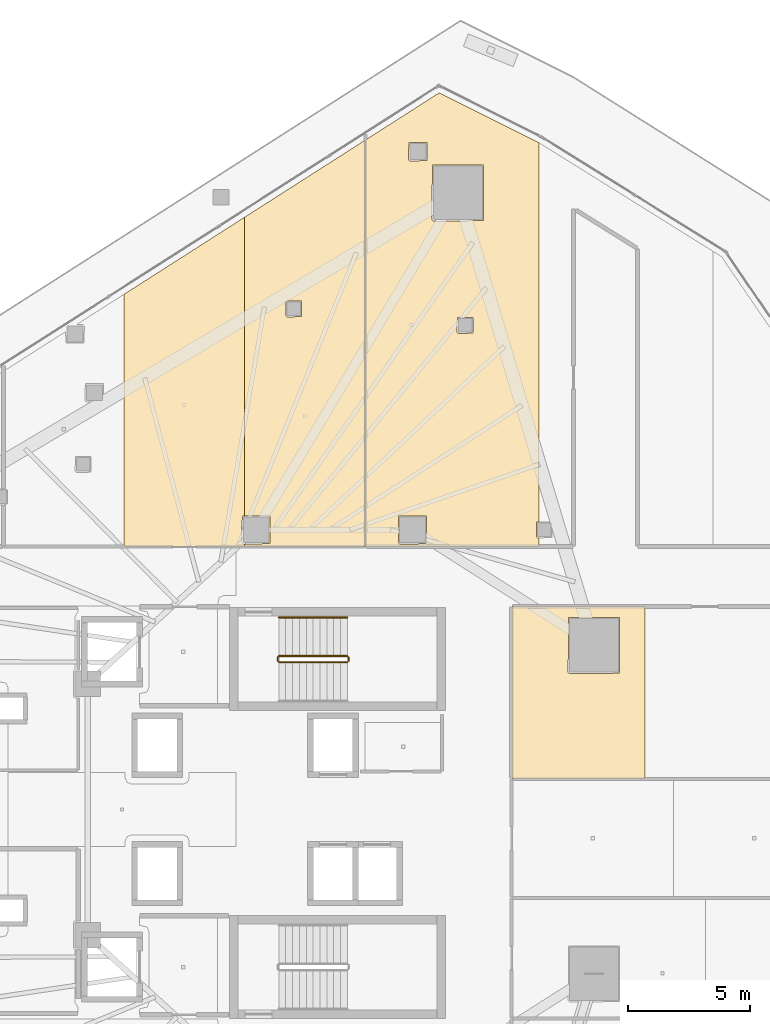
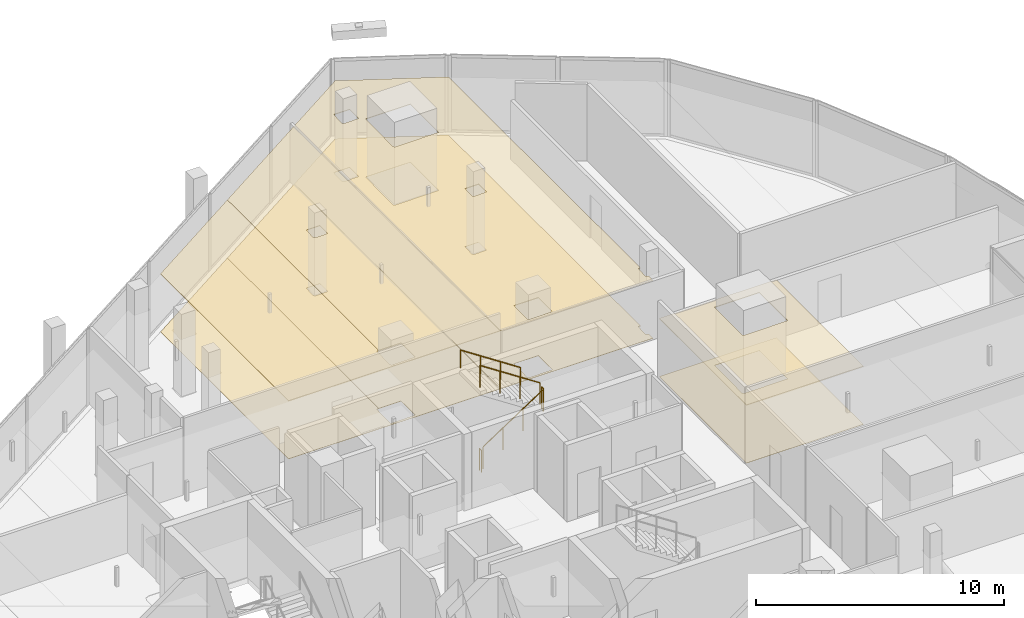
# One storey, part 38 of 39: 8 coverings, 5 railings.
"""IFC4 building model written with IfcOpenShell, lengths in metres."""

from ifc_helpers import new_model, si_unit, direction, frame, origin, origin_2d, place, context, subcontext, project, spatial, polyline, circle, outline, extrude, material, layer, layer_set, type_object, element, save


model = new_model("IFC4")

# Units and contexts
model_context = context("Model", 3, precision=1e-05, world=origin(), true_north=direction((0.0, 1.0)))
body_context = subcontext(model_context, "Body", "Model", "MODEL_VIEW")
ifc_project = project(units=[si_unit("LENGTHUNIT", "METRE"), si_unit("AREAUNIT", "SQUARE_METRE"), si_unit("VOLUMEUNIT", "CUBIC_METRE"), si_unit("PLANEANGLEUNIT", "RADIAN"), si_unit("MASSUNIT", "GRAM", prefix="KILO")], contexts=[model_context])

# Site, building, storey
site_placement = place(None, origin())
site = spatial("IfcSite", under=ifc_project, at=site_placement, CompositionType="ELEMENT")
building_placement = place(site_placement, origin())
building = spatial("IfcBuilding", under=site, at=building_placement, Name="Qorvath Tower", CompositionType="ELEMENT")
storey_placement = place(building_placement, frame((0.0, 0.0, 154.35009765625)))
storey = spatial("IfcBuildingStorey", under=building, at=storey_placement, Name="L35", CompositionType="ELEMENT", Elevation=154.35009765625)

# Coverings
ifc_material_1 = material(Name="Acoustic mineral fibre ceiling tile", Category="gypsum")
ifc_layer_1 = layer(ifc_material_1, 0.030029296875)
ifc_layer_set_1 = layer_set([ifc_layer_1], Name="COV-CEIL")
covering_type_1 = type_object("IfcCoveringType", Name="COV-CEIL", PredefinedType="CEILING", material=ifc_layer_set_1)
covering_1_placement = place(storey_placement, frame((0.0, 0.0, 2.849853515625)))
element("IfcCovering", 1, at=covering_1_placement, inside=storey, type_object=covering_type_1, Name="L35 Suspended Acoustic Ceiling 012", PredefinedType="CEILING", context=body_context, shape_type="SweptSolid", body=[
    extrude(outline(polyline([(-24.070556640625, 10.762939453125), (-24.070556640625, 10.865966796875), (-24.125, 10.864990234375), (-24.18505859375, 10.925048828125), (-24.16748046875, 12.017333984375), (-24.070556640625, 12.017333984375), (-24.070556640625, 24.24462890625), (-29.003662109375, 21.091796875), (-29.003662109375, 10.762939453125), (-24.070556640625, 10.762939453125)])), origin(), (0.0, 0.0, 1.0), 0.030029296875),
])
covering_2_placement = place(storey_placement, frame((0.0, 0.0, 2.849853515625)))
element("IfcCovering", 2, at=covering_2_placement, inside=storey, type_object=covering_type_1, Name="L35 Suspended Acoustic Ceiling 013", PredefinedType="CEILING", context=body_context, shape_type="SweptSolid", body=[
    extrude(outline(polyline([(-19.137451171875, 10.762939453125), (-19.137451171875, 27.3974609375), (-24.070556640625, 24.24462890625), (-24.070556640625, 12.017333984375), (-23.032470703125, 12.017333984375), (-23.032470703125, 10.882568359375), (-24.070556640625, 10.865966796875), (-24.070556640625, 10.762939453125), (-19.137451171875, 10.762939453125)]), holes=[polyline([(-22.38818359375, 20.219970703125), (-22.37060546875, 20.812255859375), (-21.73583984375, 20.812255859375), (-21.73583984375, 20.177490234375), (-22.328125, 20.159912109375), (-22.38818359375, 20.219970703125)])]), origin(), (0.0, 0.0, 1.0), 0.030029296875),
])
covering_3_placement = place(storey_placement, frame((0.0, 0.0, 2.849853515625)))
element("IfcCovering", 3, at=covering_3_placement, inside=storey, type_object=covering_type_1, Name="L35 Suspended Acoustic Ceiling 014", PredefinedType="CEILING", context=body_context, shape_type="SweptSolid", body=[
    extrude(outline(polyline([(-12.013671875, 10.762939453125), (-12.013671875, 11.11669921875), (-12.074951171875, 11.114990234375), (-12.135009765625, 11.175048828125), (-12.117431640625, 11.767333984375), (-12.013671875, 11.767333984375), (-12.013671875, 27.28466796875), (-16.109375, 29.3330078125), (-19.119384765625, 27.4091796875), (-19.119384765625, 10.762939453125), (-12.013671875, 10.762939453125)]), holes=[polyline([(-16.404296875, 24.14599609375), (-16.38671875, 26.388427734375), (-14.3017578125, 26.388427734375), (-14.3017578125, 24.103759765625), (-16.34423828125, 24.086181640625), (-16.404296875, 24.14599609375)]), polyline([(-15.381103515625, 19.543212890625), (-15.363525390625, 20.135498046875), (-14.728759765625, 20.135498046875), (-14.728759765625, 19.500732421875), (-15.321044921875, 19.483154296875), (-15.381103515625, 19.543212890625)]), polyline([(-17.3662109375, 26.604248046875), (-17.3486328125, 27.296630859375), (-16.61376953125, 27.296630859375), (-16.61376953125, 26.561767578125), (-17.30615234375, 26.544189453125), (-17.3662109375, 26.604248046875)]), polyline([(-17.784912109375, 10.925048828125), (-17.767333984375, 12.017333984375), (-16.632568359375, 12.017333984375), (-16.632568359375, 10.882568359375), (-17.72509765625, 10.864990234375), (-17.784912109375, 10.925048828125)])]), origin(), (0.0, 0.0, 1.0), 0.030029296875),
])
covering_4_placement = place(storey_placement, frame((0.0, 0.0, 2.849853515625)))
element("IfcCovering", 4, at=covering_4_placement, inside=storey, type_object=covering_type_1, Name="L35 Suspended Acoustic Ceiling 024", PredefinedType="CEILING", context=body_context, shape_type="SweptSolid", body=[
    extrude(outline(polyline([(-7.68603515625, 1.265380859375), (-7.68603515625, 8.312744140625), (-13.136962890625, 8.306884765625), (-13.136962890625, 1.265380859375), (-7.68603515625, 1.265380859375)]), holes=[polyline([(-10.830322265625, 5.621337890625), (-10.812744140625, 7.86376953125), (-8.727783203125, 7.86376953125), (-8.727783203125, 5.578857421875), (-10.770263671875, 5.561279296875), (-10.830322265625, 5.621337890625)])]), origin(), (0.0, 0.0, 1.0), 0.030029296875),
])
ifc_material_2 = material(Name="Low-VOC modular carpet tile", Category="textile")
ifc_layer_2 = layer(ifc_material_2, 0.014892578125)
ifc_layer_set_2 = layer_set([ifc_layer_2], Name="COV-FLOOR-CPT")
covering_type_2 = type_object("IfcCoveringType", Name="COV-FLOOR-CPT", PredefinedType="FLOORING", material=ifc_layer_set_2)
covering_5_placement = place(storey_placement, origin())
element("IfcCovering", 5, at=covering_5_placement, inside=storey, type_object=covering_type_2, Name="L35 Floor Finish 012", PredefinedType="FLOORING", context=body_context, shape_type="SweptSolid", body=[
    extrude(outline(polyline([(-24.070556640625, 10.762939453125), (-24.070556640625, 10.865966796875), (-24.125, 10.864990234375), (-24.18505859375, 10.925048828125), (-24.16748046875, 12.017333984375), (-24.070556640625, 12.017333984375), (-24.070556640625, 24.24462890625), (-29.003662109375, 21.091796875), (-29.003662109375, 10.762939453125), (-24.070556640625, 10.762939453125)])), origin(), (0.0, 0.0, 1.0), 0.014892578125),
])
covering_6_placement = place(storey_placement, origin())
element("IfcCovering", 6, at=covering_6_placement, inside=storey, type_object=covering_type_2, Name="L35 Floor Finish 013", PredefinedType="FLOORING", context=body_context, shape_type="SweptSolid", body=[
    extrude(outline(polyline([(-19.137451171875, 10.762939453125), (-19.137451171875, 27.3974609375), (-24.070556640625, 24.24462890625), (-24.070556640625, 12.017333984375), (-23.032470703125, 12.017333984375), (-23.032470703125, 10.882568359375), (-24.070556640625, 10.865966796875), (-24.070556640625, 10.762939453125), (-19.137451171875, 10.762939453125)]), holes=[polyline([(-22.38818359375, 20.219970703125), (-22.37060546875, 20.812255859375), (-21.73583984375, 20.812255859375), (-21.73583984375, 20.177490234375), (-22.328125, 20.159912109375), (-22.38818359375, 20.219970703125)])]), origin(), (0.0, 0.0, 1.0), 0.014892578125),
])
covering_7_placement = place(storey_placement, origin())
element("IfcCovering", 7, at=covering_7_placement, inside=storey, type_object=covering_type_2, Name="L35 Floor Finish 014", PredefinedType="FLOORING", context=body_context, shape_type="SweptSolid", body=[
    extrude(outline(polyline([(-12.013671875, 10.762939453125), (-12.013671875, 11.11669921875), (-12.074951171875, 11.114990234375), (-12.135009765625, 11.175048828125), (-12.117431640625, 11.767333984375), (-12.013671875, 11.767333984375), (-12.013671875, 27.28466796875), (-16.109375, 29.3330078125), (-19.119384765625, 27.4091796875), (-19.119384765625, 10.762939453125), (-12.013671875, 10.762939453125)]), holes=[polyline([(-16.404296875, 24.14599609375), (-16.38671875, 26.388427734375), (-14.3017578125, 26.388427734375), (-14.3017578125, 24.103759765625), (-16.34423828125, 24.086181640625), (-16.404296875, 24.14599609375)]), polyline([(-15.381103515625, 19.543212890625), (-15.363525390625, 20.135498046875), (-14.728759765625, 20.135498046875), (-14.728759765625, 19.500732421875), (-15.321044921875, 19.483154296875), (-15.381103515625, 19.543212890625)]), polyline([(-17.3662109375, 26.604248046875), (-17.3486328125, 27.296630859375), (-16.61376953125, 27.296630859375), (-16.61376953125, 26.561767578125), (-17.30615234375, 26.544189453125), (-17.3662109375, 26.604248046875)]), polyline([(-17.784912109375, 10.925048828125), (-17.767333984375, 12.017333984375), (-16.632568359375, 12.017333984375), (-16.632568359375, 10.882568359375), (-17.72509765625, 10.864990234375), (-17.784912109375, 10.925048828125)])]), origin(), (0.0, 0.0, 1.0), 0.014892578125),
])
covering_8_placement = place(storey_placement, origin())
element("IfcCovering", 8, at=covering_8_placement, inside=storey, type_object=covering_type_2, Name="L35 Floor Finish 024", PredefinedType="FLOORING", context=body_context, shape_type="SweptSolid", body=[
    extrude(outline(polyline([(-7.68603515625, 1.265380859375), (-7.68603515625, 8.312744140625), (-13.136962890625, 8.306884765625), (-13.136962890625, 1.265380859375), (-7.68603515625, 1.265380859375)]), holes=[polyline([(-10.830322265625, 5.621337890625), (-10.812744140625, 7.86376953125), (-8.727783203125, 7.86376953125), (-8.727783203125, 5.578857421875), (-10.770263671875, 5.561279296875), (-10.830322265625, 5.621337890625)])]), origin(), (0.0, 0.0, 1.0), 0.014892578125),
])

# Railings
ifc_material_3 = material(Name="Painted galvanised steel", Category="steel")
railing_type_1 = type_object("IfcRailingType", Name="RL-STR-GRD", PredefinedType="GUARDRAIL", material=ifc_material_3)
railing_1_placement = place(storey_placement, frame((-22.669921875, 6.030029296875, 0.18408203125)))
element("IfcRailing", 9, at=railing_1_placement, inside=storey, type_object=railing_type_1, Name="L35 TS1 stair guard 1", PredefinedType="GUARDRAIL", context=body_context, shape_type="SweptSolid", body=[
    extrude(circle(Radius=0.02392578125, at=origin_2d()), frame((0.0, 0.0, 1.076171875), z_axis=(0.835575518608, 0.0, 0.549375602573), x_axis=(0.0, 1.0, 0.0)), (0.0, 0.0, 1.0), 3.350830078125),
    extrude(circle(Radius=0.02099609375, at=origin_2d()), origin(), (0.0, 0.0, 1.0), 1.052001953125),
    extrude(circle(Radius=0.02099609375, at=origin_2d()), frame((0.933349609375, 0.0, 0.613525390625)), (0.0, 0.0, 1.0), 1.052001953125),
    extrude(circle(Radius=0.02099609375, at=origin_2d()), frame((1.866455078125, 0.0, 1.227294921875)), (0.0, 0.0, 1.0), 1.052001953125),
    extrude(circle(Radius=0.02099609375, at=origin_2d()), frame((2.7998046875, 0.0, 1.8408203125)), (0.0, 0.0, 1.0), 1.052001953125),
])
railing_2_placement = place(storey_placement, frame((-19.820068359375, 6.080078125, 2.02490234375)))
element("IfcRailing", 10, at=railing_2_placement, inside=storey, type_object=railing_type_1, Name="L35 TS1 stair guard 2", PredefinedType="GUARDRAIL", context=body_context, shape_type="SweptSolid", body=[
    extrude(circle(Radius=0.02392578125, at=origin_2d()), frame((0.0, 0.0, 1.076171875), z_axis=(0.0, 1.0, 0.0), x_axis=(-1.0, 0.0, 0.0)), (0.0, 0.0, 1.0), 0.14990234375),
    extrude(circle(Radius=0.02099609375, at=origin_2d()), origin(), (0.0, 0.0, 1.0), 1.052001953125),
    extrude(circle(Radius=0.02099609375, at=origin_2d()), frame((0.0, 0.14990234375, 0.0)), (0.0, 0.0, 1.0), 1.052001953125),
])
railing_3_placement = place(storey_placement, frame((-19.8701171875, 6.280029296875, 2.208984375)))
element("IfcRailing", 11, at=railing_3_placement, inside=storey, type_object=railing_type_1, Name="L35 TS1 stair guard 3", PredefinedType="GUARDRAIL", context=body_context, shape_type="SweptSolid", body=[
    extrude(circle(Radius=0.02392578125, at=origin_2d()), frame((0.0, 0.0, 1.076171875), z_axis=(-0.835575518608, 0.0, 0.549375602573), x_axis=(0.0, -1.0, 0.0)), (0.0, 0.0, 1.0), 3.350830078125),
    extrude(circle(Radius=0.02099609375, at=origin_2d()), origin(), (0.0, 0.0, 1.0), 1.052001953125),
    extrude(circle(Radius=0.02099609375, at=origin_2d()), frame((-0.933349609375, 0.0, 0.613525390625)), (0.0, 0.0, 1.0), 1.052001953125),
    extrude(circle(Radius=0.02099609375, at=origin_2d()), frame((-1.866455078125, 0.0, 1.227294921875)), (0.0, 0.0, 1.0), 1.052001953125),
    extrude(circle(Radius=0.02099609375, at=origin_2d()), frame((-2.7998046875, 0.0, 1.8408203125)), (0.0, 0.0, 1.0), 1.052001953125),
])
railing_4_placement = place(storey_placement, frame((-22.719970703125, 6.080078125, 0.0)))
element("IfcRailing", 12, at=railing_4_placement, inside=storey, type_object=railing_type_1, Name="L35 TS1 stair guard 4", PredefinedType="GUARDRAIL", context=body_context, shape_type="SweptSolid", body=[
    extrude(circle(Radius=0.02392578125, at=origin_2d()), frame((0.0, 0.0, 1.076171875), z_axis=(0.0, 1.0, 0.0), x_axis=(-1.0, 0.0, 0.0)), (0.0, 0.0, 1.0), 0.14990234375),
    extrude(circle(Radius=0.02099609375, at=origin_2d()), origin(), (0.0, 0.0, 1.0), 1.052001953125),
    extrude(circle(Radius=0.02099609375, at=origin_2d()), frame((0.0, 0.14990234375, 0.0)), (0.0, 0.0, 1.0), 1.052001953125),
])
ifc_material_4 = material(Name="Brushed stainless steel AISI 304", Category="steel")
railing_type_2 = type_object("IfcRailingType", Name="RL-STR-HND", PredefinedType="HANDRAIL", material=ifc_material_4)
railing_5_placement = place(storey_placement, frame((-19.8701171875, 7.860107421875, 2.208984375)))
element("IfcRailing", 13, at=railing_5_placement, inside=storey, type_object=railing_type_2, Name="L35 TS1 stair handrail 2", PredefinedType="HANDRAIL", context=body_context, shape_type="SweptSolid", body=[
    extrude(circle(Radius=0.02392578125, at=origin_2d()), frame((0.0, 0.0, 0.8759765625), z_axis=(-0.835575518608, 0.0, 0.549375602573), x_axis=(0.0, -1.0, 0.0)), (0.0, 0.0, 1.0), 3.350830078125),
    extrude(circle(Radius=0.02099609375, at=origin_2d()), origin(), (0.0, 0.0, 1.0), 0.851806640625),
    extrude(circle(Radius=0.02099609375, at=origin_2d()), frame((-0.933349609375, 0.0, 0.613525390625)), (0.0, 0.0, 1.0), 0.851806640625),
    extrude(circle(Radius=0.02099609375, at=origin_2d()), frame((-1.866455078125, 0.0, 1.227294921875)), (0.0, 0.0, 1.0), 0.851806640625),
    extrude(circle(Radius=0.02099609375, at=origin_2d()), frame((-2.7998046875, 0.0, 1.8408203125)), (0.0, 0.0, 1.0), 0.851806640625),
])

save(model, "model.ifc")
